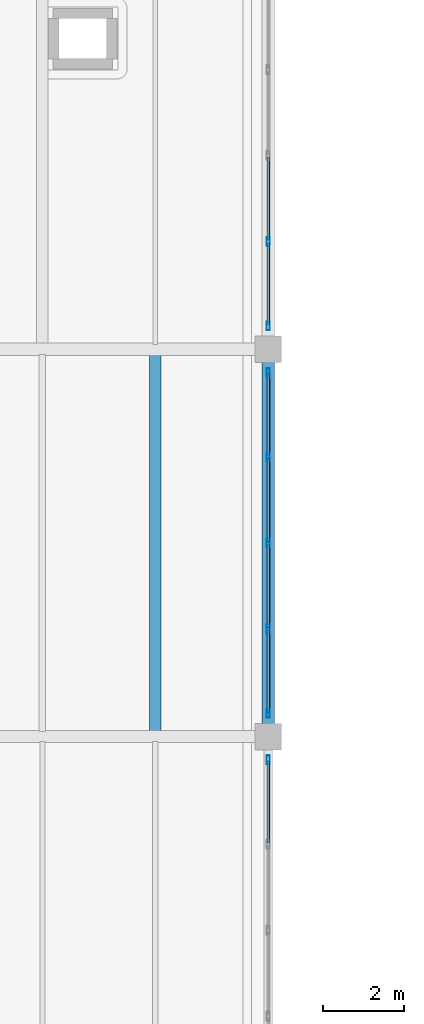
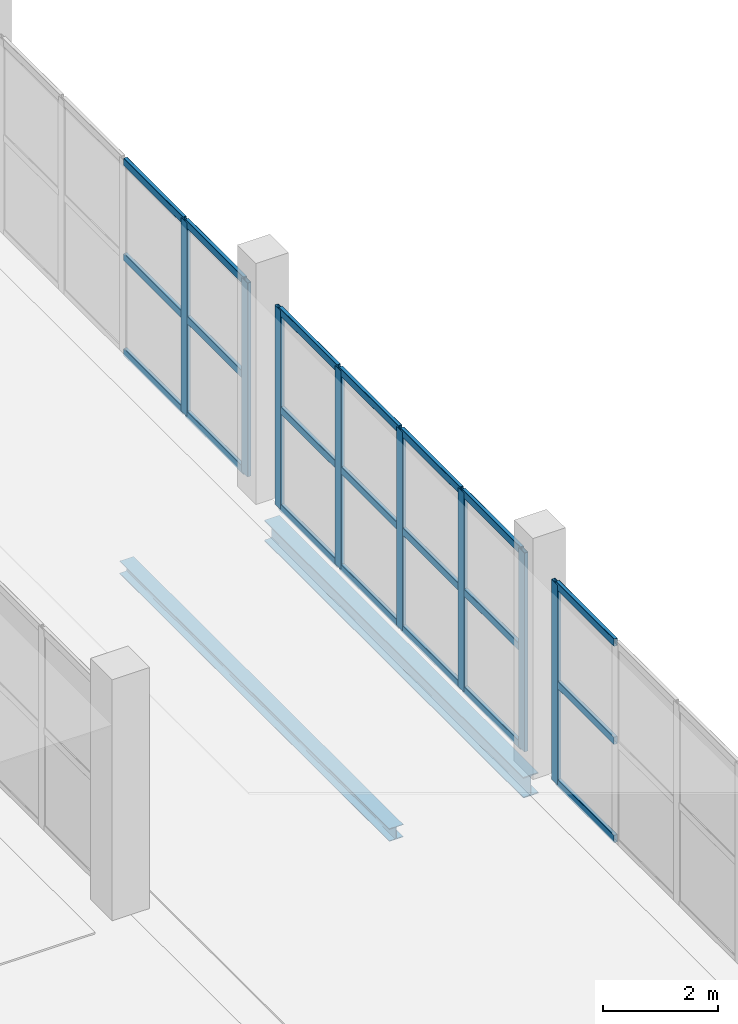
# One storey, part 21 of 73: 29 members, 2 beams, 3 elements without a shape of their own.
"""IFC4 building model written with IfcOpenShell, lengths in metres."""

from ifc_helpers import new_model, si_unit, direction, frame, origin, origin_2d, place, context, subcontext, project, spatial, hollow_rectangle, i_section, extrude, material, layer, layer_set, material_profile, profile_set, type_object, element, aggregate, save


model = new_model("IFC4")

# Units and contexts
model_context = context("Model", 3, precision=1e-05, world=origin(), true_north=direction((0.0, 1.0)))
body_context = subcontext(model_context, "Body", "Model", "MODEL_VIEW")
ifc_project = project(units=[si_unit("LENGTHUNIT", "METRE"), si_unit("AREAUNIT", "SQUARE_METRE"), si_unit("VOLUMEUNIT", "CUBIC_METRE"), si_unit("PLANEANGLEUNIT", "RADIAN"), si_unit("MASSUNIT", "GRAM", prefix="KILO")], contexts=[model_context])

# Site, building, storey
site_placement = place(None, origin())
site = spatial("IfcSite", under=ifc_project, at=site_placement, CompositionType="ELEMENT")
building_placement = place(site_placement, origin())
building = spatial("IfcBuilding", under=site, at=building_placement, Name="Zulmaris Art Gallery", CompositionType="ELEMENT")
storey_placement = place(building_placement, frame((0.0, 0.0, 10.5)))
storey = spatial("IfcBuildingStorey", under=building, at=storey_placement, Name="L02", CompositionType="ELEMENT", Elevation=10.5)

# Beams
ifc_material_1 = material(Name="Steel S355J2", Category="steel")
ifc_material_profile_1 = material_profile(ifc_material_1, i_section(OverallWidth=0.300048828125, OverallDepth=0.43994140625, WebThickness=0.011474609375, FlangeThickness=0.02099609375, FilletRadius=0.027099609375, at=origin_2d()), Name="HEA 450")
ifc_profile_set_1 = profile_set([ifc_material_profile_1], Name="Steel S355J2")
beam_type_1 = type_object("IfcBeamType", Name="BEAM-BM10", PredefinedType="BEAM", material=ifc_profile_set_1)
beam_1_placement = place(storey_placement, frame((91.199951171875, 31.510009765625, -0.6201171875), z_axis=(0.0, 1.0, 0.0), x_axis=(-1.0, 0.0, 0.0)))
element("IfcBeam", 1, at=beam_1_placement, inside=storey, type_object=beam_type_1, Name="L02 Y-girder (x=91.2, 31.2..40.8)", PredefinedType="BEAM", context=body_context, shape_type="SweptSolid", body=[
    extrude(i_section(OverallWidth=0.300048828125, OverallDepth=0.43994140625, WebThickness=0.011474609375, FlangeThickness=0.02099609375, FilletRadius=0.027099609375, at=origin_2d()), origin(), (0.0, 0.0, 1.0), 8.97998046875),
])
ifc_material_profile_2 = material_profile(ifc_material_1, i_section(OverallWidth=0.280029296875, OverallDepth=0.27001953125, WebThickness=0.008056640625, FlangeThickness=0.012939453125, FilletRadius=0.02392578125, at=origin_2d()), Name="HEA 280")
ifc_profile_set_2 = profile_set([ifc_material_profile_2], Name="Steel S355J2")
beam_type_2 = type_object("IfcBeamType", Name="BEAM-JS04", PredefinedType="JOIST", material=ifc_profile_set_2)
beam_2_placement = place(storey_placement, frame((88.39990234375, 31.324951171875, -0.534912109375), z_axis=(0.0, 1.0, 0.0), x_axis=(-1.0, 0.0, 0.0)))
element("IfcBeam", 2, at=beam_2_placement, inside=storey, type_object=beam_type_2, Name="L02 secondary joist at x=88.4", PredefinedType="JOIST", context=body_context, shape_type="SweptSolid", body=[
    extrude(i_section(OverallWidth=0.280029296875, OverallDepth=0.27001953125, WebThickness=0.008056640625, FlangeThickness=0.012939453125, FilletRadius=0.02392578125, at=origin_2d()), origin(), (0.0, 0.0, 1.0), 9.35009765625),
])

# Curtain wall, member
ifc_material_2 = material(Name="Cloister & Court Glazed Curtain Wall", Category="aluminium")
ifc_layer = layer(ifc_material_2, 0.179931640625)
ifc_layer_set = layer_set([ifc_layer], Name="Cloister & Court Glazed Curtain Wall")
curtain_wall_type = type_object("IfcCurtainWallType", Name="CW-CW03", PredefinedType="NOTDEFINED", material=ifc_layer_set)
curtain_wall_1_placement = place(storey_placement, origin())
curtain_wall_1 = element("IfcCurtainWall", 3, at=curtain_wall_1_placement, inside=storey, type_object=curtain_wall_type, Name="L02 curtain wall 78", PredefinedType="NOTDEFINED")
ifc_material_3 = material(Name="Anodised Bronze Aluminium", Category="aluminium")
ifc_material_profile_3 = material_profile(ifc_material_3, hollow_rectangle(XDim=0.074951171875, YDim=0.219970703125, WallThickness=0.0048828125, InnerFilletRadius=0.007568359375, OuterFilletRadius=0.012451171875, at=origin_2d()), Name="ALU 75x220x5")
ifc_profile_set_3 = profile_set([ifc_material_profile_3], Name="Anodised Bronze Aluminium")
member_type_1 = type_object("IfcMemberType", Name="CWMUL-02", PredefinedType="MULLION", material=ifc_profile_set_3)
member_1_placement = place(storey_placement, frame((91.199951171875, 30.62255859375, 0.0), z_axis=(0.0, 0.0, 1.0), x_axis=(1.0, 0.0, 0.0)))
member_1 = element("IfcMember", 4, at=member_1_placement, type_object=member_type_1, Name="CW03 mullion 1", PredefinedType="MULLION", context=body_context, shape_type="SweptSolid", body=[
    extrude(hollow_rectangle(XDim=0.074951171875, YDim=0.219970703125, WallThickness=0.0048828125, InnerFilletRadius=0.007568359375, OuterFilletRadius=0.012451171875, at=origin_2d()), origin(), (0.0, 0.0, 1.0), 4.22998046875),
])

# Curtain wall, members
curtain_wall_2_placement = place(storey_placement, origin())
curtain_wall_2 = element("IfcCurtainWall", 5, at=curtain_wall_2_placement, inside=storey, type_object=curtain_wall_type, Name="L02 curtain wall 80", PredefinedType="NOTDEFINED")
member_2_placement = place(storey_placement, frame((91.199951171875, 40.222412109375, 0.0), z_axis=(0.0, 0.0, 1.0), x_axis=(1.0, 0.0, 0.0)))
member_2 = element("IfcMember", 6, at=member_2_placement, type_object=member_type_1, Name="CW03 mullion 1", PredefinedType="MULLION", context=body_context, shape_type="SweptSolid", body=[
    extrude(hollow_rectangle(XDim=0.074951171875, YDim=0.219970703125, WallThickness=0.0048828125, InnerFilletRadius=0.007568359375, OuterFilletRadius=0.012451171875, at=origin_2d()), origin(), (0.0, 0.0, 1.0), 4.2099609375),
])
member_3_placement = place(storey_placement, frame((91.199951171875, 38.1298828125, 0.0), z_axis=(0.0, 0.0, 1.0), x_axis=(1.0, 0.0, 0.0)))
member_3 = element("IfcMember", 7, at=member_3_placement, type_object=member_type_1, Name="CW03 mullion 2", PredefinedType="MULLION", context=body_context, shape_type="SweptSolid", body=[
    extrude(hollow_rectangle(XDim=0.074951171875, YDim=0.219970703125, WallThickness=0.0048828125, InnerFilletRadius=0.007568359375, OuterFilletRadius=0.012451171875, at=origin_2d()), origin(), (0.0, 0.0, 1.0), 4.2099609375),
])
member_4_placement = place(storey_placement, frame((91.199951171875, 36.0, 0.0), z_axis=(0.0, 0.0, 1.0), x_axis=(1.0, 0.0, 0.0)))
member_4 = element("IfcMember", 8, at=member_4_placement, type_object=member_type_1, Name="CW03 mullion 3", PredefinedType="MULLION", context=body_context, shape_type="SweptSolid", body=[
    extrude(hollow_rectangle(XDim=0.074951171875, YDim=0.219970703125, WallThickness=0.0048828125, InnerFilletRadius=0.007568359375, OuterFilletRadius=0.012451171875, at=origin_2d()), origin(), (0.0, 0.0, 1.0), 4.2099609375),
])
member_5_placement = place(storey_placement, frame((91.199951171875, 33.8701171875, 0.0), z_axis=(0.0, 0.0, 1.0), x_axis=(1.0, 0.0, 0.0)))
member_5 = element("IfcMember", 9, at=member_5_placement, type_object=member_type_1, Name="CW03 mullion 4", PredefinedType="MULLION", context=body_context, shape_type="SweptSolid", body=[
    extrude(hollow_rectangle(XDim=0.074951171875, YDim=0.219970703125, WallThickness=0.0048828125, InnerFilletRadius=0.007568359375, OuterFilletRadius=0.012451171875, at=origin_2d()), origin(), (0.0, 0.0, 1.0), 4.2099609375),
])
member_6_placement = place(storey_placement, frame((91.199951171875, 31.777587890625, 0.0), z_axis=(0.0, 0.0, 1.0), x_axis=(1.0, 0.0, 0.0)))
member_6 = element("IfcMember", 10, at=member_6_placement, type_object=member_type_1, Name="CW03 mullion 5", PredefinedType="MULLION", context=body_context, shape_type="SweptSolid", body=[
    extrude(hollow_rectangle(XDim=0.074951171875, YDim=0.219970703125, WallThickness=0.0048828125, InnerFilletRadius=0.007568359375, OuterFilletRadius=0.012451171875, at=origin_2d()), origin(), (0.0, 0.0, 1.0), 4.2099609375),
])

curtain_wall_3_placement = place(storey_placement, origin())
curtain_wall_3 = element("IfcCurtainWall", 11, at=curtain_wall_3_placement, inside=storey, type_object=curtain_wall_type, Name="L02 curtain wall 82", PredefinedType="NOTDEFINED")
member_7_placement = place(storey_placement, frame((91.199951171875, 43.469970703125, 0.0), z_axis=(0.0, 0.0, 1.0), x_axis=(1.0, 0.0, 0.0)))
member_7 = element("IfcMember", 12, at=member_7_placement, type_object=member_type_1, Name="CW03 mullion 4", PredefinedType="MULLION", context=body_context, shape_type="SweptSolid", body=[
    extrude(hollow_rectangle(XDim=0.074951171875, YDim=0.219970703125, WallThickness=0.0048828125, InnerFilletRadius=0.007568359375, OuterFilletRadius=0.012451171875, at=origin_2d()), origin(), (0.0, 0.0, 1.0), 4.10009765625),
])
member_8_placement = place(storey_placement, frame((91.199951171875, 41.37744140625, 0.0), z_axis=(0.0, 0.0, 1.0), x_axis=(1.0, 0.0, 0.0)))
member_8 = element("IfcMember", 13, at=member_8_placement, type_object=member_type_1, Name="CW03 mullion 5", PredefinedType="MULLION", context=body_context, shape_type="SweptSolid", body=[
    extrude(hollow_rectangle(XDim=0.074951171875, YDim=0.219970703125, WallThickness=0.0048828125, InnerFilletRadius=0.007568359375, OuterFilletRadius=0.012451171875, at=origin_2d()), origin(), (0.0, 0.0, 1.0), 4.10009765625),
])

# Member
ifc_material_profile_4 = material_profile(ifc_material_3, hollow_rectangle(XDim=0.074951171875, YDim=0.159912109375, WallThickness=0.00390625, InnerFilletRadius=0.006103515625, OuterFilletRadius=0.010009765625, at=origin_2d()), Name="ALU 75x160x4")
ifc_profile_set_4 = profile_set([ifc_material_profile_4], Name="Anodised Bronze Aluminium")
member_type_2 = type_object("IfcMemberType", Name="CWTRN-02", PredefinedType="USERDEFINED", material=ifc_profile_set_4)
member_9_placement = place(storey_placement, frame((91.199951171875, 30.5849609375, 0.03759765625), z_axis=(0.0, -1.0, 0.0), x_axis=(1.0, 0.0, 0.0)))
member_9 = element("IfcMember", 14, at=member_9_placement, type_object=member_type_2, Name="CW03 transom 1.1", ObjectType="TRANSOM", PredefinedType="USERDEFINED", context=body_context, shape_type="SweptSolid", body=[
    extrude(hollow_rectangle(XDim=0.074951171875, YDim=0.159912109375, WallThickness=0.00390625, InnerFilletRadius=0.006103515625, OuterFilletRadius=0.010009765625, at=origin_2d()), origin(), (0.0, 0.0, 1.0), 2.017578125),
])

member_10_placement = place(storey_placement, frame((91.199951171875, 30.5849609375, 2.114990234375), z_axis=(0.0, -1.0, 0.0), x_axis=(1.0, 0.0, 0.0)))
member_10 = element("IfcMember", 15, at=member_10_placement, type_object=member_type_2, Name="CW03 transom 1.2", ObjectType="TRANSOM", PredefinedType="USERDEFINED", context=body_context, shape_type="SweptSolid", body=[
    extrude(hollow_rectangle(XDim=0.074951171875, YDim=0.159912109375, WallThickness=0.00390625, InnerFilletRadius=0.006103515625, OuterFilletRadius=0.010009765625, at=origin_2d()), origin(), (0.0, 0.0, 1.0), 2.017578125),
])

member_11_placement = place(storey_placement, frame((91.199951171875, 30.5849609375, 4.1923828125), z_axis=(0.0, -1.0, 0.0), x_axis=(1.0, 0.0, 0.0)))
member_11 = element("IfcMember", 16, at=member_11_placement, type_object=member_type_2, Name="CW03 transom 1.3", ObjectType="TRANSOM", PredefinedType="USERDEFINED", context=body_context, shape_type="SweptSolid", body=[
    extrude(hollow_rectangle(XDim=0.074951171875, YDim=0.159912109375, WallThickness=0.00390625, InnerFilletRadius=0.006103515625, OuterFilletRadius=0.010009765625, at=origin_2d()), origin(), (0.0, 0.0, 1.0), 2.017578125),
])

aggregate(curtain_wall_1, [member_1, member_9, member_10, member_11])

member_12_placement = place(storey_placement, frame((91.199951171875, 40.18505859375, 0.03759765625), z_axis=(0.0, -1.0, 0.0), x_axis=(1.0, 0.0, 0.0)))
member_12 = element("IfcMember", 17, at=member_12_placement, type_object=member_type_2, Name="CW03 transom 1.1", ObjectType="TRANSOM", PredefinedType="USERDEFINED", context=body_context, shape_type="SweptSolid", body=[
    extrude(hollow_rectangle(XDim=0.074951171875, YDim=0.159912109375, WallThickness=0.00390625, InnerFilletRadius=0.006103515625, OuterFilletRadius=0.010009765625, at=origin_2d()), origin(), (0.0, 0.0, 1.0), 2.017578125),
])

member_13_placement = place(storey_placement, frame((91.199951171875, 40.18505859375, 2.10498046875), z_axis=(0.0, -1.0, 0.0), x_axis=(1.0, 0.0, 0.0)))
member_13 = element("IfcMember", 18, at=member_13_placement, type_object=member_type_2, Name="CW03 transom 1.2", ObjectType="TRANSOM", PredefinedType="USERDEFINED", context=body_context, shape_type="SweptSolid", body=[
    extrude(hollow_rectangle(XDim=0.074951171875, YDim=0.159912109375, WallThickness=0.00390625, InnerFilletRadius=0.006103515625, OuterFilletRadius=0.010009765625, at=origin_2d()), origin(), (0.0, 0.0, 1.0), 2.017578125),
])

member_14_placement = place(storey_placement, frame((91.199951171875, 40.18505859375, 4.172607421875), z_axis=(0.0, -1.0, 0.0), x_axis=(1.0, 0.0, 0.0)))
member_14 = element("IfcMember", 19, at=member_14_placement, type_object=member_type_2, Name="CW03 transom 1.3", ObjectType="TRANSOM", PredefinedType="USERDEFINED", context=body_context, shape_type="SweptSolid", body=[
    extrude(hollow_rectangle(XDim=0.074951171875, YDim=0.159912109375, WallThickness=0.00390625, InnerFilletRadius=0.006103515625, OuterFilletRadius=0.010009765625, at=origin_2d()), origin(), (0.0, 0.0, 1.0), 2.017578125),
])

member_15_placement = place(storey_placement, frame((91.199951171875, 38.092529296875, 0.03759765625), z_axis=(0.0, -1.0, 0.0), x_axis=(1.0, 0.0, 0.0)))
member_15 = element("IfcMember", 20, at=member_15_placement, type_object=member_type_2, Name="CW03 transom 2.1", ObjectType="TRANSOM", PredefinedType="USERDEFINED", context=body_context, shape_type="SweptSolid", body=[
    extrude(hollow_rectangle(XDim=0.074951171875, YDim=0.159912109375, WallThickness=0.00390625, InnerFilletRadius=0.006103515625, OuterFilletRadius=0.010009765625, at=origin_2d()), origin(), (0.0, 0.0, 1.0), 2.054931640625),
])

member_16_placement = place(storey_placement, frame((91.199951171875, 38.092529296875, 2.10498046875), z_axis=(0.0, -1.0, 0.0), x_axis=(1.0, 0.0, 0.0)))
member_16 = element("IfcMember", 21, at=member_16_placement, type_object=member_type_2, Name="CW03 transom 2.2", ObjectType="TRANSOM", PredefinedType="USERDEFINED", context=body_context, shape_type="SweptSolid", body=[
    extrude(hollow_rectangle(XDim=0.074951171875, YDim=0.159912109375, WallThickness=0.00390625, InnerFilletRadius=0.006103515625, OuterFilletRadius=0.010009765625, at=origin_2d()), origin(), (0.0, 0.0, 1.0), 2.054931640625),
])

member_17_placement = place(storey_placement, frame((91.199951171875, 38.092529296875, 4.172607421875), z_axis=(0.0, -1.0, 0.0), x_axis=(1.0, 0.0, 0.0)))
member_17 = element("IfcMember", 22, at=member_17_placement, type_object=member_type_2, Name="CW03 transom 2.3", ObjectType="TRANSOM", PredefinedType="USERDEFINED", context=body_context, shape_type="SweptSolid", body=[
    extrude(hollow_rectangle(XDim=0.074951171875, YDim=0.159912109375, WallThickness=0.00390625, InnerFilletRadius=0.006103515625, OuterFilletRadius=0.010009765625, at=origin_2d()), origin(), (0.0, 0.0, 1.0), 2.054931640625),
])

member_18_placement = place(storey_placement, frame((91.199951171875, 35.96240234375, 0.03759765625), z_axis=(0.0, -1.0, 0.0), x_axis=(1.0, 0.0, 0.0)))
member_18 = element("IfcMember", 23, at=member_18_placement, type_object=member_type_2, Name="CW03 transom 3.1", ObjectType="TRANSOM", PredefinedType="USERDEFINED", context=body_context, shape_type="SweptSolid", body=[
    extrude(hollow_rectangle(XDim=0.074951171875, YDim=0.159912109375, WallThickness=0.00390625, InnerFilletRadius=0.006103515625, OuterFilletRadius=0.010009765625, at=origin_2d()), origin(), (0.0, 0.0, 1.0), 2.054931640625),
])

member_19_placement = place(storey_placement, frame((91.199951171875, 35.96240234375, 2.10498046875), z_axis=(0.0, -1.0, 0.0), x_axis=(1.0, 0.0, 0.0)))
member_19 = element("IfcMember", 24, at=member_19_placement, type_object=member_type_2, Name="CW03 transom 3.2", ObjectType="TRANSOM", PredefinedType="USERDEFINED", context=body_context, shape_type="SweptSolid", body=[
    extrude(hollow_rectangle(XDim=0.074951171875, YDim=0.159912109375, WallThickness=0.00390625, InnerFilletRadius=0.006103515625, OuterFilletRadius=0.010009765625, at=origin_2d()), origin(), (0.0, 0.0, 1.0), 2.054931640625),
])

member_20_placement = place(storey_placement, frame((91.199951171875, 35.96240234375, 4.172607421875), z_axis=(0.0, -1.0, 0.0), x_axis=(1.0, 0.0, 0.0)))
member_20 = element("IfcMember", 25, at=member_20_placement, type_object=member_type_2, Name="CW03 transom 3.3", ObjectType="TRANSOM", PredefinedType="USERDEFINED", context=body_context, shape_type="SweptSolid", body=[
    extrude(hollow_rectangle(XDim=0.074951171875, YDim=0.159912109375, WallThickness=0.00390625, InnerFilletRadius=0.006103515625, OuterFilletRadius=0.010009765625, at=origin_2d()), origin(), (0.0, 0.0, 1.0), 2.054931640625),
])

member_21_placement = place(storey_placement, frame((91.199951171875, 33.83251953125, 0.03759765625), z_axis=(0.0, -1.0, 0.0), x_axis=(1.0, 0.0, 0.0)))
member_21 = element("IfcMember", 26, at=member_21_placement, type_object=member_type_2, Name="CW03 transom 4.1", ObjectType="TRANSOM", PredefinedType="USERDEFINED", context=body_context, shape_type="SweptSolid", body=[
    extrude(hollow_rectangle(XDim=0.074951171875, YDim=0.159912109375, WallThickness=0.00390625, InnerFilletRadius=0.006103515625, OuterFilletRadius=0.010009765625, at=origin_2d()), origin(), (0.0, 0.0, 1.0), 2.017578125),
])

member_22_placement = place(storey_placement, frame((91.199951171875, 33.83251953125, 2.10498046875), z_axis=(0.0, -1.0, 0.0), x_axis=(1.0, 0.0, 0.0)))
member_22 = element("IfcMember", 27, at=member_22_placement, type_object=member_type_2, Name="CW03 transom 4.2", ObjectType="TRANSOM", PredefinedType="USERDEFINED", context=body_context, shape_type="SweptSolid", body=[
    extrude(hollow_rectangle(XDim=0.074951171875, YDim=0.159912109375, WallThickness=0.00390625, InnerFilletRadius=0.006103515625, OuterFilletRadius=0.010009765625, at=origin_2d()), origin(), (0.0, 0.0, 1.0), 2.017578125),
])

member_23_placement = place(storey_placement, frame((91.199951171875, 33.83251953125, 4.172607421875), z_axis=(0.0, -1.0, 0.0), x_axis=(1.0, 0.0, 0.0)))
member_23 = element("IfcMember", 28, at=member_23_placement, type_object=member_type_2, Name="CW03 transom 4.3", ObjectType="TRANSOM", PredefinedType="USERDEFINED", context=body_context, shape_type="SweptSolid", body=[
    extrude(hollow_rectangle(XDim=0.074951171875, YDim=0.159912109375, WallThickness=0.00390625, InnerFilletRadius=0.006103515625, OuterFilletRadius=0.010009765625, at=origin_2d()), origin(), (0.0, 0.0, 1.0), 2.017578125),
])

aggregate(curtain_wall_2, [member_2, member_3, member_4, member_5, member_6, member_12, member_13, member_14, member_15, member_16, member_17, member_18, member_19, member_20, member_21, member_22, member_23])

member_24_placement = place(storey_placement, frame((91.199951171875, 45.5625, 0.03759765625), z_axis=(0.0, -1.0, 0.0), x_axis=(1.0, 0.0, 0.0)))
member_24 = element("IfcMember", 29, at=member_24_placement, type_object=member_type_2, Name="CW03 transom 3.1", ObjectType="TRANSOM", PredefinedType="USERDEFINED", context=body_context, shape_type="SweptSolid", body=[
    extrude(hollow_rectangle(XDim=0.074951171875, YDim=0.159912109375, WallThickness=0.00390625, InnerFilletRadius=0.006103515625, OuterFilletRadius=0.010009765625, at=origin_2d()), origin(), (0.0, 0.0, 1.0), 2.054931640625),
])

member_25_placement = place(storey_placement, frame((91.199951171875, 45.5625, 2.050048828125), z_axis=(0.0, -1.0, 0.0), x_axis=(1.0, 0.0, 0.0)))
member_25 = element("IfcMember", 30, at=member_25_placement, type_object=member_type_2, Name="CW03 transom 3.2", ObjectType="TRANSOM", PredefinedType="USERDEFINED", context=body_context, shape_type="SweptSolid", body=[
    extrude(hollow_rectangle(XDim=0.074951171875, YDim=0.159912109375, WallThickness=0.00390625, InnerFilletRadius=0.006103515625, OuterFilletRadius=0.010009765625, at=origin_2d()), origin(), (0.0, 0.0, 1.0), 2.054931640625),
])

member_26_placement = place(storey_placement, frame((91.199951171875, 45.5625, 4.0625), z_axis=(0.0, -1.0, 0.0), x_axis=(1.0, 0.0, 0.0)))
member_26 = element("IfcMember", 31, at=member_26_placement, type_object=member_type_2, Name="CW03 transom 3.3", ObjectType="TRANSOM", PredefinedType="USERDEFINED", context=body_context, shape_type="SweptSolid", body=[
    extrude(hollow_rectangle(XDim=0.074951171875, YDim=0.159912109375, WallThickness=0.00390625, InnerFilletRadius=0.006103515625, OuterFilletRadius=0.010009765625, at=origin_2d()), origin(), (0.0, 0.0, 1.0), 2.054931640625),
])

member_27_placement = place(storey_placement, frame((91.199951171875, 43.4326171875, 0.03759765625), z_axis=(0.0, -1.0, 0.0), x_axis=(1.0, 0.0, 0.0)))
member_27 = element("IfcMember", 32, at=member_27_placement, type_object=member_type_2, Name="CW03 transom 4.1", ObjectType="TRANSOM", PredefinedType="USERDEFINED", context=body_context, shape_type="SweptSolid", body=[
    extrude(hollow_rectangle(XDim=0.074951171875, YDim=0.159912109375, WallThickness=0.00390625, InnerFilletRadius=0.006103515625, OuterFilletRadius=0.010009765625, at=origin_2d()), origin(), (0.0, 0.0, 1.0), 2.017578125),
])

member_28_placement = place(storey_placement, frame((91.199951171875, 43.4326171875, 2.050048828125), z_axis=(0.0, -1.0, 0.0), x_axis=(1.0, 0.0, 0.0)))
member_28 = element("IfcMember", 33, at=member_28_placement, type_object=member_type_2, Name="CW03 transom 4.2", ObjectType="TRANSOM", PredefinedType="USERDEFINED", context=body_context, shape_type="SweptSolid", body=[
    extrude(hollow_rectangle(XDim=0.074951171875, YDim=0.159912109375, WallThickness=0.00390625, InnerFilletRadius=0.006103515625, OuterFilletRadius=0.010009765625, at=origin_2d()), origin(), (0.0, 0.0, 1.0), 2.017578125),
])

member_29_placement = place(storey_placement, frame((91.199951171875, 43.4326171875, 4.0625), z_axis=(0.0, -1.0, 0.0), x_axis=(1.0, 0.0, 0.0)))
member_29 = element("IfcMember", 34, at=member_29_placement, type_object=member_type_2, Name="CW03 transom 4.3", ObjectType="TRANSOM", PredefinedType="USERDEFINED", context=body_context, shape_type="SweptSolid", body=[
    extrude(hollow_rectangle(XDim=0.074951171875, YDim=0.159912109375, WallThickness=0.00390625, InnerFilletRadius=0.006103515625, OuterFilletRadius=0.010009765625, at=origin_2d()), origin(), (0.0, 0.0, 1.0), 2.017578125),
])

aggregate(curtain_wall_3, [member_7, member_8, member_24, member_25, member_26, member_27, member_28, member_29])

save(model, "model.ifc")
